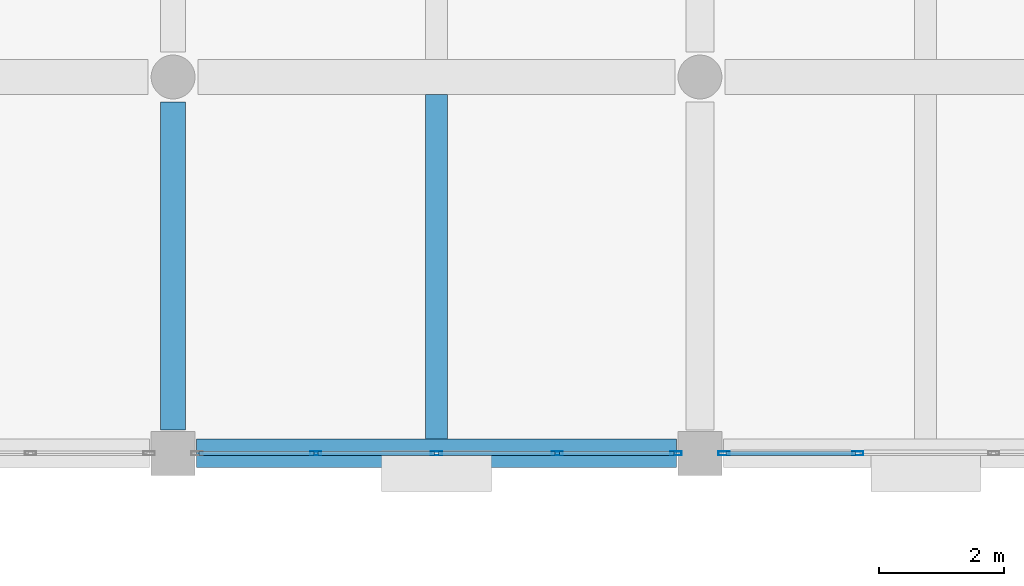
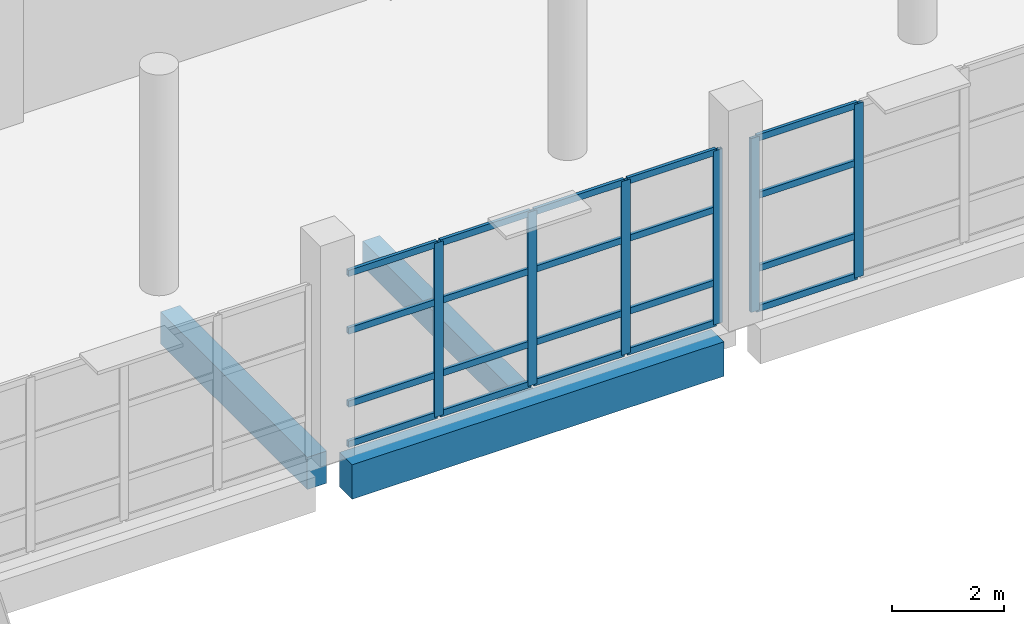
# One storey, part 18 of 91: 26 members, 3 beams, 2 elements without a shape of their own.
"""IFC4 building model written with IfcOpenShell, lengths in metres."""

from ifc_helpers import new_model, si_unit, direction, frame, origin, origin_2d, place, context, subcontext, project, spatial, rectangle, hollow_rectangle, extrude, material, material_profile, profile_set, type_object, element, aggregate, save


model = new_model("IFC4")

# Units and contexts
model_context = context("Model", 3, precision=1e-05, world=origin(), true_north=direction((0.0, 1.0)))
body_context = subcontext(model_context, "Body", "Model", "MODEL_VIEW")
ifc_project = project(units=[si_unit("LENGTHUNIT", "METRE"), si_unit("AREAUNIT", "SQUARE_METRE"), si_unit("VOLUMEUNIT", "CUBIC_METRE"), si_unit("PLANEANGLEUNIT", "RADIAN"), si_unit("MASSUNIT", "GRAM", prefix="KILO")], contexts=[model_context])

# Site, building, storey
site_placement = place(None, origin())
site = spatial("IfcSite", under=ifc_project, at=site_placement, CompositionType="ELEMENT")
building_placement = place(site_placement, origin())
building = spatial("IfcBuilding", under=site, at=building_placement, Name="Pellamere Symphony Hall", CompositionType="ELEMENT")
storey_placement = place(building_placement, frame((0.0, 0.0, 5.39990234375)))
storey = spatial("IfcBuildingStorey", under=building, at=storey_placement, Name="L01", CompositionType="ELEMENT", Elevation=5.39990234375)

# Curtain wall, members
ifc_material_1 = material(Name="Thermally Broken Anodised Aluminium 6063-T6 Curtain Wall", Category="aluminium")
curtain_wall_type = type_object("IfcCurtainWallType", Name="Curtain Wall CW-02 (Winter-Garden South Concourse Curtain Wall)", PredefinedType="NOTDEFINED", material=ifc_material_1)
curtain_wall_1_placement = place(storey_placement, origin())
curtain_wall_1 = element("IfcCurtainWall", 1, at=curtain_wall_1_placement, inside=storey, type_object=curtain_wall_type, Name="Winter-Garden South Curtain Wall (L01 Bay 2)", PredefinedType="NOTDEFINED")
ifc_material_2 = material(Name="Anodised Architectural Aluminium 6063-T6", Category="aluminium")
ifc_material_profile_1 = material_profile(ifc_material_2, hollow_rectangle(XDim=0.06494140625, YDim=0.179931640625, WallThickness=0.00390625, at=origin_2d()), Name="ALU-M65X180X4")
ifc_profile_set_1 = profile_set([ifc_material_profile_1], Name="Anodised Architectural Aluminium 6063-T6")
member_type_1 = type_object("IfcMemberType", Name="Curtain Wall Mullion ML-02 ALU-M65X180X4", PredefinedType="MULLION", material=ifc_profile_set_1)
member_1_placement = place(storey_placement, frame((52.675048828125, 18.0, 0.0), z_axis=(0.0, 0.0, 1.0), x_axis=(0.0, 1.0, 0.0)))
member_1 = element("IfcMember", 2, at=member_1_placement, type_object=member_type_1, Name="CW2-067 crystal mullion 2", PredefinedType="MULLION", context=body_context, shape_type="SweptSolid", body=[
    extrude(hollow_rectangle(XDim=0.06494140625, YDim=0.179931640625, WallThickness=0.00390625, at=origin_2d()), origin(), (0.0, 0.0, 1.0), 3.780029296875),
])
member_2_placement = place(storey_placement, frame((54.60009765625, 18.0, 0.0), z_axis=(0.0, 0.0, 1.0), x_axis=(0.0, 1.0, 0.0)))
member_2 = element("IfcMember", 3, at=member_2_placement, type_object=member_type_1, Name="CW2-067 crystal mullion 3", PredefinedType="MULLION", context=body_context, shape_type="SweptSolid", body=[
    extrude(hollow_rectangle(XDim=0.06494140625, YDim=0.179931640625, WallThickness=0.00390625, at=origin_2d()), origin(), (0.0, 0.0, 1.0), 3.780029296875),
])
member_3_placement = place(storey_placement, frame((56.52490234375, 18.0, 0.0), z_axis=(0.0, 0.0, 1.0), x_axis=(0.0, 1.0, 0.0)))
member_3 = element("IfcMember", 4, at=member_3_placement, type_object=member_type_1, Name="CW2-067 crystal mullion 4", PredefinedType="MULLION", context=body_context, shape_type="SweptSolid", body=[
    extrude(hollow_rectangle(XDim=0.06494140625, YDim=0.179931640625, WallThickness=0.00390625, at=origin_2d()), origin(), (0.0, 0.0, 1.0), 3.780029296875),
])
member_4_placement = place(storey_placement, frame((58.41748046875, 18.0, 0.0), z_axis=(0.0, 0.0, 1.0), x_axis=(0.0, 1.0, 0.0)))
member_4 = element("IfcMember", 5, at=member_4_placement, type_object=member_type_1, Name="CW2-067 crystal mullion 5", PredefinedType="MULLION", context=body_context, shape_type="SweptSolid", body=[
    extrude(hollow_rectangle(XDim=0.06494140625, YDim=0.179931640625, WallThickness=0.00390625, at=origin_2d()), origin(), (0.0, 0.0, 1.0), 3.780029296875),
])

curtain_wall_2_placement = place(storey_placement, origin())
curtain_wall_2 = element("IfcCurtainWall", 6, at=curtain_wall_2_placement, inside=storey, type_object=curtain_wall_type, Name="Winter-Garden South Curtain Wall (L01 Bay 3)", PredefinedType="NOTDEFINED")
member_5_placement = place(storey_placement, frame((59.1826171875, 18.0, 0.0), z_axis=(0.0, 0.0, 1.0), x_axis=(0.0, 1.0, 0.0)))
member_5 = element("IfcMember", 7, at=member_5_placement, type_object=member_type_1, Name="CW2-068 crystal mullion 1", PredefinedType="MULLION", context=body_context, shape_type="SweptSolid", body=[
    extrude(hollow_rectangle(XDim=0.06494140625, YDim=0.179931640625, WallThickness=0.00390625, at=origin_2d()), origin(), (0.0, 0.0, 1.0), 3.780029296875),
])
member_6_placement = place(storey_placement, frame((61.316650390625, 18.0, 0.0), z_axis=(0.0, 0.0, 1.0), x_axis=(0.0, 1.0, 0.0)))
member_6 = element("IfcMember", 8, at=member_6_placement, type_object=member_type_1, Name="CW2-068 crystal mullion 2", PredefinedType="MULLION", context=body_context, shape_type="SweptSolid", body=[
    extrude(hollow_rectangle(XDim=0.06494140625, YDim=0.179931640625, WallThickness=0.00390625, at=origin_2d()), origin(), (0.0, 0.0, 1.0), 3.780029296875),
])

# Member
ifc_material_profile_2 = material_profile(ifc_material_2, hollow_rectangle(XDim=0.06494140625, YDim=0.139892578125, WallThickness=0.00390625, at=origin_2d()), Name="ALU-T65X140X4")
ifc_profile_set_2 = profile_set([ifc_material_profile_2], Name="Anodised Architectural Aluminium 6063-T6")
member_type_2 = type_object("IfcMemberType", Name="Curtain Wall Transom TR-02 ALU-T65X140X4", PredefinedType="USERDEFINED", material=ifc_profile_set_2)
member_7_placement = place(storey_placement, frame((50.81494140625, 18.0, 0.03271484375), z_axis=(1.0, 0.0, 0.0), x_axis=(0.0, 1.0, 0.0)))
member_7 = element("IfcMember", 9, at=member_7_placement, type_object=member_type_2, Name="CW2-067 crystal transom 1.1", ObjectType="TRANSOM", PredefinedType="USERDEFINED", context=body_context, shape_type="SweptSolid", body=[
    extrude(hollow_rectangle(XDim=0.06494140625, YDim=0.139892578125, WallThickness=0.00390625, at=origin_2d()), origin(), (0.0, 0.0, 1.0), 1.82763671875),
])

member_8_placement = place(storey_placement, frame((50.81494140625, 18.0, 0.9072265625), z_axis=(1.0, 0.0, 0.0), x_axis=(0.0, 1.0, 0.0)))
member_8 = element("IfcMember", 10, at=member_8_placement, type_object=member_type_2, Name="CW2-067 crystal transom 1.2", ObjectType="TRANSOM", PredefinedType="USERDEFINED", context=body_context, shape_type="SweptSolid", body=[
    extrude(hollow_rectangle(XDim=0.06494140625, YDim=0.139892578125, WallThickness=0.00390625, at=origin_2d()), origin(), (0.0, 0.0, 1.0), 1.82763671875),
])

member_9_placement = place(storey_placement, frame((50.81494140625, 18.0, 2.494873046875), z_axis=(1.0, 0.0, 0.0), x_axis=(0.0, 1.0, 0.0)))
member_9 = element("IfcMember", 11, at=member_9_placement, type_object=member_type_2, Name="CW2-067 crystal transom 1.3", ObjectType="TRANSOM", PredefinedType="USERDEFINED", context=body_context, shape_type="SweptSolid", body=[
    extrude(hollow_rectangle(XDim=0.06494140625, YDim=0.139892578125, WallThickness=0.00390625, at=origin_2d()), origin(), (0.0, 0.0, 1.0), 1.82763671875),
])

member_10_placement = place(storey_placement, frame((50.81494140625, 18.0, 3.74755859375), z_axis=(1.0, 0.0, 0.0), x_axis=(0.0, 1.0, 0.0)))
member_10 = element("IfcMember", 12, at=member_10_placement, type_object=member_type_2, Name="CW2-067 crystal transom 1.4", ObjectType="TRANSOM", PredefinedType="USERDEFINED", context=body_context, shape_type="SweptSolid", body=[
    extrude(hollow_rectangle(XDim=0.06494140625, YDim=0.139892578125, WallThickness=0.00390625, at=origin_2d()), origin(), (0.0, 0.0, 1.0), 1.82763671875),
])

member_11_placement = place(storey_placement, frame((52.70751953125, 18.0, 0.03271484375), z_axis=(1.0, 0.0, 0.0), x_axis=(0.0, 1.0, 0.0)))
member_11 = element("IfcMember", 13, at=member_11_placement, type_object=member_type_2, Name="CW2-067 crystal transom 2.1", ObjectType="TRANSOM", PredefinedType="USERDEFINED", context=body_context, shape_type="SweptSolid", body=[
    extrude(hollow_rectangle(XDim=0.06494140625, YDim=0.139892578125, WallThickness=0.00390625, at=origin_2d()), origin(), (0.0, 0.0, 1.0), 1.85986328125),
])

member_12_placement = place(storey_placement, frame((52.70751953125, 18.0, 0.9072265625), z_axis=(1.0, 0.0, 0.0), x_axis=(0.0, 1.0, 0.0)))
member_12 = element("IfcMember", 14, at=member_12_placement, type_object=member_type_2, Name="CW2-067 crystal transom 2.2", ObjectType="TRANSOM", PredefinedType="USERDEFINED", context=body_context, shape_type="SweptSolid", body=[
    extrude(hollow_rectangle(XDim=0.06494140625, YDim=0.139892578125, WallThickness=0.00390625, at=origin_2d()), origin(), (0.0, 0.0, 1.0), 1.85986328125),
])

member_13_placement = place(storey_placement, frame((52.70751953125, 18.0, 2.494873046875), z_axis=(1.0, 0.0, 0.0), x_axis=(0.0, 1.0, 0.0)))
member_13 = element("IfcMember", 15, at=member_13_placement, type_object=member_type_2, Name="CW2-067 crystal transom 2.3", ObjectType="TRANSOM", PredefinedType="USERDEFINED", context=body_context, shape_type="SweptSolid", body=[
    extrude(hollow_rectangle(XDim=0.06494140625, YDim=0.139892578125, WallThickness=0.00390625, at=origin_2d()), origin(), (0.0, 0.0, 1.0), 1.85986328125),
])

member_14_placement = place(storey_placement, frame((52.70751953125, 18.0, 3.74755859375), z_axis=(1.0, 0.0, 0.0), x_axis=(0.0, 1.0, 0.0)))
member_14 = element("IfcMember", 16, at=member_14_placement, type_object=member_type_2, Name="CW2-067 crystal transom 2.4", ObjectType="TRANSOM", PredefinedType="USERDEFINED", context=body_context, shape_type="SweptSolid", body=[
    extrude(hollow_rectangle(XDim=0.06494140625, YDim=0.139892578125, WallThickness=0.00390625, at=origin_2d()), origin(), (0.0, 0.0, 1.0), 1.85986328125),
])

member_15_placement = place(storey_placement, frame((54.632568359375, 18.0, 0.03271484375), z_axis=(1.0, 0.0, 0.0), x_axis=(0.0, 1.0, 0.0)))
member_15 = element("IfcMember", 17, at=member_15_placement, type_object=member_type_2, Name="CW2-067 crystal transom 3.1", ObjectType="TRANSOM", PredefinedType="USERDEFINED", context=body_context, shape_type="SweptSolid", body=[
    extrude(hollow_rectangle(XDim=0.06494140625, YDim=0.139892578125, WallThickness=0.00390625, at=origin_2d()), origin(), (0.0, 0.0, 1.0), 1.85986328125),
])

member_16_placement = place(storey_placement, frame((54.632568359375, 18.0, 0.9072265625), z_axis=(1.0, 0.0, 0.0), x_axis=(0.0, 1.0, 0.0)))
member_16 = element("IfcMember", 18, at=member_16_placement, type_object=member_type_2, Name="CW2-067 crystal transom 3.2", ObjectType="TRANSOM", PredefinedType="USERDEFINED", context=body_context, shape_type="SweptSolid", body=[
    extrude(hollow_rectangle(XDim=0.06494140625, YDim=0.139892578125, WallThickness=0.00390625, at=origin_2d()), origin(), (0.0, 0.0, 1.0), 1.85986328125),
])

member_17_placement = place(storey_placement, frame((54.632568359375, 18.0, 2.494873046875), z_axis=(1.0, 0.0, 0.0), x_axis=(0.0, 1.0, 0.0)))
member_17 = element("IfcMember", 19, at=member_17_placement, type_object=member_type_2, Name="CW2-067 crystal transom 3.3", ObjectType="TRANSOM", PredefinedType="USERDEFINED", context=body_context, shape_type="SweptSolid", body=[
    extrude(hollow_rectangle(XDim=0.06494140625, YDim=0.139892578125, WallThickness=0.00390625, at=origin_2d()), origin(), (0.0, 0.0, 1.0), 1.85986328125),
])

member_18_placement = place(storey_placement, frame((54.632568359375, 18.0, 3.74755859375), z_axis=(1.0, 0.0, 0.0), x_axis=(0.0, 1.0, 0.0)))
member_18 = element("IfcMember", 20, at=member_18_placement, type_object=member_type_2, Name="CW2-067 crystal transom 3.4", ObjectType="TRANSOM", PredefinedType="USERDEFINED", context=body_context, shape_type="SweptSolid", body=[
    extrude(hollow_rectangle(XDim=0.06494140625, YDim=0.139892578125, WallThickness=0.00390625, at=origin_2d()), origin(), (0.0, 0.0, 1.0), 1.85986328125),
])

member_19_placement = place(storey_placement, frame((56.5576171875, 18.0, 0.03271484375), z_axis=(1.0, 0.0, 0.0), x_axis=(0.0, 1.0, 0.0)))
member_19 = element("IfcMember", 21, at=member_19_placement, type_object=member_type_2, Name="CW2-067 crystal transom 4.1", ObjectType="TRANSOM", PredefinedType="USERDEFINED", context=body_context, shape_type="SweptSolid", body=[
    extrude(hollow_rectangle(XDim=0.06494140625, YDim=0.139892578125, WallThickness=0.00390625, at=origin_2d()), origin(), (0.0, 0.0, 1.0), 1.827392578125),
])

member_20_placement = place(storey_placement, frame((56.5576171875, 18.0, 0.9072265625), z_axis=(1.0, 0.0, 0.0), x_axis=(0.0, 1.0, 0.0)))
member_20 = element("IfcMember", 22, at=member_20_placement, type_object=member_type_2, Name="CW2-067 crystal transom 4.2", ObjectType="TRANSOM", PredefinedType="USERDEFINED", context=body_context, shape_type="SweptSolid", body=[
    extrude(hollow_rectangle(XDim=0.06494140625, YDim=0.139892578125, WallThickness=0.00390625, at=origin_2d()), origin(), (0.0, 0.0, 1.0), 1.827392578125),
])

member_21_placement = place(storey_placement, frame((56.5576171875, 18.0, 2.494873046875), z_axis=(1.0, 0.0, 0.0), x_axis=(0.0, 1.0, 0.0)))
member_21 = element("IfcMember", 23, at=member_21_placement, type_object=member_type_2, Name="CW2-067 crystal transom 4.3", ObjectType="TRANSOM", PredefinedType="USERDEFINED", context=body_context, shape_type="SweptSolid", body=[
    extrude(hollow_rectangle(XDim=0.06494140625, YDim=0.139892578125, WallThickness=0.00390625, at=origin_2d()), origin(), (0.0, 0.0, 1.0), 1.827392578125),
])

member_22_placement = place(storey_placement, frame((56.5576171875, 18.0, 3.74755859375), z_axis=(1.0, 0.0, 0.0), x_axis=(0.0, 1.0, 0.0)))
member_22 = element("IfcMember", 24, at=member_22_placement, type_object=member_type_2, Name="CW2-067 crystal transom 4.4", ObjectType="TRANSOM", PredefinedType="USERDEFINED", context=body_context, shape_type="SweptSolid", body=[
    extrude(hollow_rectangle(XDim=0.06494140625, YDim=0.139892578125, WallThickness=0.00390625, at=origin_2d()), origin(), (0.0, 0.0, 1.0), 1.827392578125),
])

aggregate(curtain_wall_1, [member_1, member_2, member_3, member_4, member_7, member_8, member_9, member_10, member_11, member_12, member_13, member_14, member_15, member_16, member_17, member_18, member_19, member_20, member_21, member_22])

member_23_placement = place(storey_placement, frame((59.215087890625, 18.0, 0.03271484375), z_axis=(1.0, 0.0, 0.0), x_axis=(0.0, 1.0, 0.0)))
member_23 = element("IfcMember", 25, at=member_23_placement, type_object=member_type_2, Name="CW2-068 crystal transom 1.1", ObjectType="TRANSOM", PredefinedType="USERDEFINED", context=body_context, shape_type="SweptSolid", body=[
    extrude(hollow_rectangle(XDim=0.06494140625, YDim=0.139892578125, WallThickness=0.00390625, at=origin_2d()), origin(), (0.0, 0.0, 1.0), 2.069091796875),
])

member_24_placement = place(storey_placement, frame((59.215087890625, 18.0, 0.9072265625), z_axis=(1.0, 0.0, 0.0), x_axis=(0.0, 1.0, 0.0)))
member_24 = element("IfcMember", 26, at=member_24_placement, type_object=member_type_2, Name="CW2-068 crystal transom 1.2", ObjectType="TRANSOM", PredefinedType="USERDEFINED", context=body_context, shape_type="SweptSolid", body=[
    extrude(hollow_rectangle(XDim=0.06494140625, YDim=0.139892578125, WallThickness=0.00390625, at=origin_2d()), origin(), (0.0, 0.0, 1.0), 2.069091796875),
])

member_25_placement = place(storey_placement, frame((59.215087890625, 18.0, 2.494873046875), z_axis=(1.0, 0.0, 0.0), x_axis=(0.0, 1.0, 0.0)))
member_25 = element("IfcMember", 27, at=member_25_placement, type_object=member_type_2, Name="CW2-068 crystal transom 1.3", ObjectType="TRANSOM", PredefinedType="USERDEFINED", context=body_context, shape_type="SweptSolid", body=[
    extrude(hollow_rectangle(XDim=0.06494140625, YDim=0.139892578125, WallThickness=0.00390625, at=origin_2d()), origin(), (0.0, 0.0, 1.0), 2.069091796875),
])

member_26_placement = place(storey_placement, frame((59.215087890625, 18.0, 3.74755859375), z_axis=(1.0, 0.0, 0.0), x_axis=(0.0, 1.0, 0.0)))
member_26 = element("IfcMember", 28, at=member_26_placement, type_object=member_type_2, Name="CW2-068 crystal transom 1.4", ObjectType="TRANSOM", PredefinedType="USERDEFINED", context=body_context, shape_type="SweptSolid", body=[
    extrude(hollow_rectangle(XDim=0.06494140625, YDim=0.139892578125, WallThickness=0.00390625, at=origin_2d()), origin(), (0.0, 0.0, 1.0), 2.069091796875),
])

aggregate(curtain_wall_2, [member_5, member_6, member_23, member_24, member_25, member_26])

# Beams
ifc_material_3 = material(Name="Concrete 35 MPa", Category="concrete")
ifc_material_profile_3 = material_profile(ifc_material_3, rectangle(XDim=0.35009765625, YDim=0.550048828125, at=origin_2d()), Name="RC 350x550")
ifc_profile_set_3 = profile_set([ifc_material_profile_3], Name="Concrete 35 MPa")
beam_type_1 = type_object("IfcBeamType", Name="RC CB-10 350x550", PredefinedType="BEAM", material=ifc_profile_set_3)
beam_1_placement = place(storey_placement, frame((54.60009765625, 18.22509765625, -0.56982421875), z_axis=(0.0, 1.0, 0.0), x_axis=(-1.0, 0.0, 0.0)))
element("IfcBeam", 29, at=beam_1_placement, inside=storey, type_object=beam_type_1, Name="Secondary Floor Beam CB-10-M0602 (L01)", PredefinedType="BEAM", context=body_context, shape_type="SweptSolid", body=[
    extrude(rectangle(XDim=0.35009765625, YDim=0.550048828125, at=origin_2d()), origin(), (0.0, 0.0, 1.0), 5.494873046875),
])
ifc_material_4 = material(Name="Concrete 40 MPa", Category="concrete")
ifc_material_profile_4 = material_profile(ifc_material_4, rectangle(XDim=0.449951171875, YDim=0.75, at=origin_2d()), Name="RC 450x750")
ifc_profile_set_4 = profile_set([ifc_material_profile_4], Name="Concrete 40 MPa")
beam_type_2 = type_object("IfcBeamType", Name="RC CB-12 450x750", PredefinedType="SPANDREL", material=ifc_profile_set_4)
beam_2_placement = place(storey_placement, frame((50.77490234375, 18.0, -0.65478515625), z_axis=(1.0, 0.0, 0.0), x_axis=(0.0, 1.0, 0.0)))
element("IfcBeam", 30, at=beam_2_placement, inside=storey, type_object=beam_type_2, Name="Girder CB-12-X0548 (L01)", PredefinedType="SPANDREL", context=body_context, shape_type="SweptSolid", body=[
    extrude(rectangle(XDim=0.449951171875, YDim=0.75, at=origin_2d()), origin(), (0.0, 0.0, 1.0), 7.650146484375),
])
ifc_material_profile_5 = material_profile(ifc_material_4, rectangle(XDim=0.39990234375, YDim=0.699951171875, at=origin_2d()), Name="RC 400x700")
ifc_profile_set_5 = profile_set([ifc_material_profile_5], Name="Concrete 40 MPa")
beam_type_3 = type_object("IfcBeamType", Name="RC CB-13 400x700", PredefinedType="SPANDREL", material=ifc_profile_set_5)
beam_3_placement = place(storey_placement, frame((50.39990234375, 18.375, -0.6298828125), z_axis=(0.0, 1.0, 0.0), x_axis=(-1.0, 0.0, 0.0)))
element("IfcBeam", 31, at=beam_3_placement, inside=storey, type_object=beam_type_3, Name="Girder CB-13-Y0747 (L01)", PredefinedType="SPANDREL", context=body_context, shape_type="SweptSolid", body=[
    extrude(rectangle(XDim=0.39990234375, YDim=0.699951171875, at=origin_2d()), origin(), (0.0, 0.0, 1.0), 5.22509765625),
])

save(model, "model.ifc")
